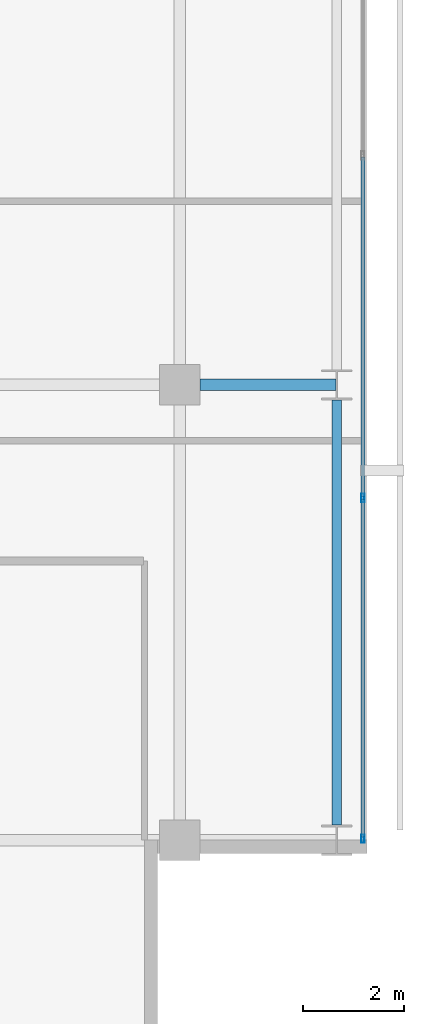
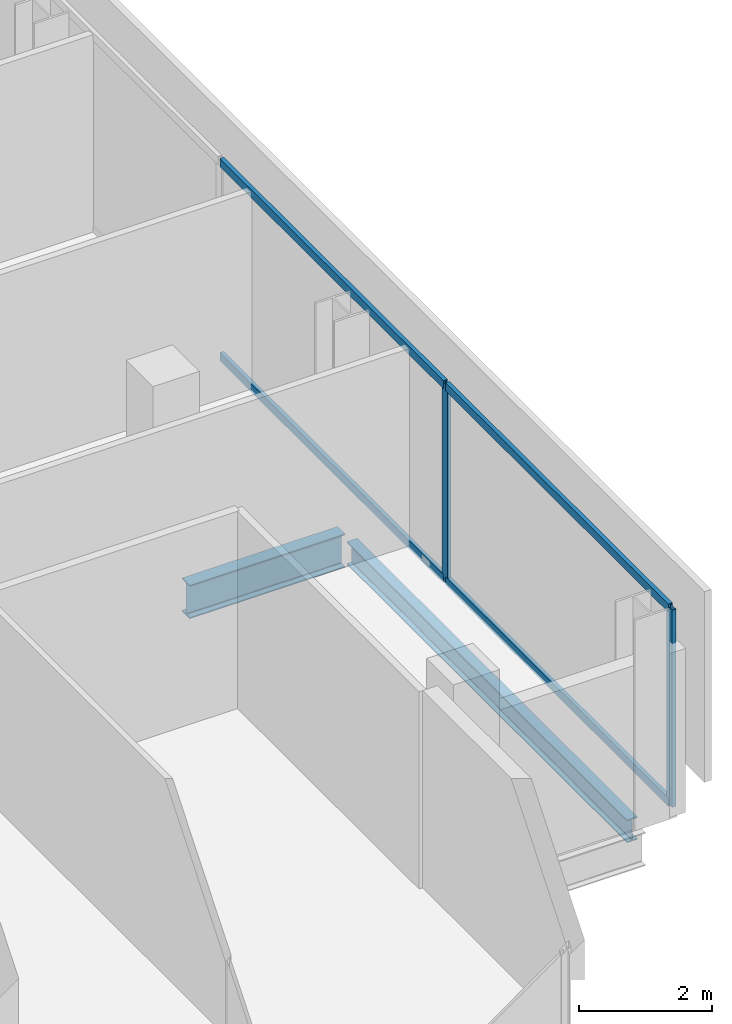
# One storey, part 15 of 34: 6 members, 2 beams, 1 element without a shape of its own.
"""IFC4 building model written with IfcOpenShell, lengths in metres."""

from ifc_helpers import new_model, si_unit, direction, frame, origin, origin_2d, place, context, subcontext, project, spatial, hollow_rectangle, i_section, extrude, material, layer, layer_set, material_profile, profile_set, type_object, element, aggregate, save


model = new_model("IFC4")

# Units and contexts
model_context = context("Model", 3, precision=1e-05, world=origin(), true_north=direction((0.0, 1.0)))
body_context = subcontext(model_context, "Body", "Model", "MODEL_VIEW")
ifc_project = project(units=[si_unit("LENGTHUNIT", "METRE"), si_unit("AREAUNIT", "SQUARE_METRE"), si_unit("VOLUMEUNIT", "CUBIC_METRE"), si_unit("PLANEANGLEUNIT", "RADIAN"), si_unit("MASSUNIT", "GRAM", prefix="KILO")], contexts=[model_context])

# Site, building, storey
site_placement = place(None, origin())
site = spatial("IfcSite", under=ifc_project, at=site_placement, CompositionType="ELEMENT")
building_placement = place(site_placement, origin())
building = spatial("IfcBuilding", under=site, at=building_placement, Name="Maruvema Waterfront Hotel and Observation Tower", CompositionType="ELEMENT")
storey_placement = place(building_placement, frame((0.0, 0.0, 146.64990234375)))
storey = spatial("IfcBuildingStorey", under=building, at=storey_placement, Name="L35", CompositionType="ELEMENT", Elevation=146.64990234375)

# Curtain wall, members
ifc_material_1 = material(Name="Anodised bronze aluminium and solar-control low-E IGU", Category="aluminium")
ifc_layer = layer(ifc_material_1, 0.159912109375, Name="Zone 2 Amber Inner Thermal Curtain Wall System CW-03")
ifc_layer_set = layer_set([ifc_layer], Name="Anodised bronze aluminium and solar-control low-E IGU")
curtain_wall_type = type_object("IfcCurtainWallType", Name="Zone 2 Amber Inner Thermal Curtain Wall System CW-03", PredefinedType="USERDEFINED", material=ifc_layer_set)
curtain_wall_placement = place(storey_placement, origin())
curtain_wall = element("IfcCurtainWall", 1, at=curtain_wall_placement, inside=storey, type_object=curtain_wall_type, Name="L35 Curtain Wall CW-L35-E", ObjectType="UNITISED CURTAIN WALL", PredefinedType="USERDEFINED")
ifc_material_2 = material(Name="Anodised architectural bronze aluminium", Category="aluminium")
ifc_material_profile_1 = material_profile(ifc_material_2, hollow_rectangle(XDim=0.070068359375, YDim=0.14990234375, WallThickness=0.00390625, at=origin_2d()), Name="ALU-T70x150")
ifc_profile_set_1 = profile_set([ifc_material_profile_1], Name="Anodised architectural bronze aluminium")
member_type_1 = type_object("IfcMemberType", Name="Curtain Wall Horizontal Transom ALU-T70x150", PredefinedType="USERDEFINED", material=ifc_profile_set_1)
member_1_placement = place(storey_placement, frame((62.419921875, 9.06005859375, 0.030029296875), z_axis=(0.0, 1.0, 0.0), x_axis=(-1.0, 0.0, 0.0)))
member_1 = element("IfcMember", 2, at=member_1_placement, type_object=member_type_1, Name="CW-03 transom 1.1", ObjectType="TRANSOM", PredefinedType="USERDEFINED", context=body_context, shape_type="SweptSolid", body=[
    extrude(hollow_rectangle(XDim=0.070068359375, YDim=0.14990234375, WallThickness=0.00390625, at=origin_2d()), origin(), (0.0, 0.0, 1.0), 6.676513671875),
])
member_2_placement = place(storey_placement, frame((62.419921875, 9.06005859375, 3.580078125), z_axis=(0.0, 1.0, 0.0), x_axis=(-1.0, 0.0, 0.0)))
member_2 = element("IfcMember", 3, at=member_2_placement, type_object=member_type_1, Name="CW-03 transom 1.2", ObjectType="TRANSOM", PredefinedType="USERDEFINED", context=body_context, shape_type="SweptSolid", body=[
    extrude(hollow_rectangle(XDim=0.070068359375, YDim=0.14990234375, WallThickness=0.00390625, at=origin_2d()), origin(), (0.0, 0.0, 1.0), 6.676513671875),
])
member_3_placement = place(storey_placement, frame((62.419921875, 15.796630859375, 0.030029296875), z_axis=(0.0, 1.0, 0.0), x_axis=(-1.0, 0.0, 0.0)))
member_3 = element("IfcMember", 4, at=member_3_placement, type_object=member_type_1, Name="CW-03 transom 2.1", ObjectType="TRANSOM", PredefinedType="USERDEFINED", context=body_context, shape_type="SweptSolid", body=[
    extrude(hollow_rectangle(XDim=0.070068359375, YDim=0.14990234375, WallThickness=0.00390625, at=origin_2d()), origin(), (0.0, 0.0, 1.0), 6.706787109375),
])
member_4_placement = place(storey_placement, frame((62.419921875, 15.796630859375, 3.580078125), z_axis=(0.0, 1.0, 0.0), x_axis=(-1.0, 0.0, 0.0)))
member_4 = element("IfcMember", 5, at=member_4_placement, type_object=member_type_1, Name="CW-03 transom 2.2", ObjectType="TRANSOM", PredefinedType="USERDEFINED", context=body_context, shape_type="SweptSolid", body=[
    extrude(hollow_rectangle(XDim=0.070068359375, YDim=0.14990234375, WallThickness=0.00390625, at=origin_2d()), origin(), (0.0, 0.0, 1.0), 6.706787109375),
])
ifc_material_3 = material(Name="Anodised architectural bronze aluminium", Category="aluminium")
ifc_material_profile_2 = material_profile(ifc_material_3, hollow_rectangle(XDim=0.06494140625, YDim=0.1650390625, WallThickness=0.00390625, at=origin_2d()), Name="ALU-M65x165")
ifc_profile_set_2 = profile_set([ifc_material_profile_2], Name="Anodised architectural bronze aluminium")
member_type_2 = type_object("IfcMemberType", Name="Curtain Wall Primary Mullion ALU-M65x165", PredefinedType="MULLION", material=ifc_profile_set_2)
member_5_placement = place(storey_placement, frame((62.419921875, 9.030029296875, 0.0), z_axis=(0.0, 0.0, 1.0), x_axis=(-1.0, 0.0, 0.0)))
member_5 = element("IfcMember", 6, at=member_5_placement, type_object=member_type_2, Name="CW-03 mullion 1", PredefinedType="MULLION", context=body_context, shape_type="SweptSolid", body=[
    extrude(hollow_rectangle(XDim=0.06494140625, YDim=0.1650390625, WallThickness=0.00390625, at=origin_2d()), origin(), (0.0, 0.0, 1.0), 3.610107421875),
])
member_6_placement = place(storey_placement, frame((62.419921875, 15.7666015625, 0.0), z_axis=(0.0, 0.0, 1.0), x_axis=(-1.0, 0.0, 0.0)))
member_6 = element("IfcMember", 7, at=member_6_placement, type_object=member_type_2, Name="CW-03 mullion 2", PredefinedType="MULLION", context=body_context, shape_type="SweptSolid", body=[
    extrude(hollow_rectangle(XDim=0.06494140625, YDim=0.1650390625, WallThickness=0.00390625, at=origin_2d()), origin(), (0.0, 0.0, 1.0), 3.610107421875),
])
aggregate(curtain_wall, [member_5, member_6, member_1, member_2, member_3, member_4])

# Beams
ifc_material_4 = material(Name="Steel ASTM A572 Grade 50", Category="steel")
ifc_material_profile_3 = material_profile(ifc_material_4, i_section(OverallWidth=0.180908203125, OverallDepth=0.4169921875, WebThickness=0.010986328125, FlangeThickness=0.018310546875, FilletRadius=0.014892578125, at=origin_2d()), Name="W410x85.0")
ifc_profile_set_3 = profile_set([ifc_material_profile_3], Name="Steel ASTM A572 Grade 50")
beam_type_1 = type_object("IfcBeamType", Name="Perimeter Spandrel Beam W410x85.0", PredefinedType="SPANDREL", material=ifc_profile_set_3)
beam_1_placement = place(storey_placement, frame((61.89990234375, 9.300048828125, -0.448486328125), z_axis=(0.0, 1.0, 0.0), x_axis=(-1.0, 0.0, 0.0)))
element("IfcBeam", 8, at=beam_1_placement, inside=storey, type_object=beam_type_1, Name="L35 Floor Girder NS-29", PredefinedType="SPANDREL", context=body_context, shape_type="SweptSolid", body=[
    extrude(i_section(OverallWidth=0.180908203125, OverallDepth=0.4169921875, WebThickness=0.010986328125, FlangeThickness=0.018310546875, FilletRadius=0.014892578125, at=origin_2d()), origin(), (0.0, 0.0, 1.0), 8.39990234375),
])
ifc_material_5 = material(Name="Steel ASTM A572 Grade 50", Category="steel")
ifc_material_profile_4 = material_profile(ifc_material_5, i_section(OverallWidth=0.22900390625, OverallDepth=0.612060546875, WebThickness=0.011962890625, FlangeThickness=0.01953125, FilletRadius=0.01806640625, at=origin_2d()), Name="W610x125.0")
ifc_profile_set_4 = profile_set([ifc_material_profile_4], Name="Steel ASTM A572 Grade 50")
beam_type_2 = type_object("IfcBeamType", Name="Primary Floor Girder W610x125.0", PredefinedType="BEAM", material=ifc_profile_set_4)
beam_2_placement = place(storey_placement, frame((59.199951171875, 18.0, -0.5458984375), z_axis=(1.0, 0.0, 0.0), x_axis=(0.0, 1.0, 0.0)))
element("IfcBeam", 9, at=beam_2_placement, inside=storey, type_object=beam_type_2, Name="L35 Floor Girder EW-17", PredefinedType="BEAM", context=body_context, shape_type="SweptSolid", body=[
    extrude(i_section(OverallWidth=0.22900390625, OverallDepth=0.612060546875, WebThickness=0.011962890625, FlangeThickness=0.01953125, FilletRadius=0.01806640625, at=origin_2d()), origin(), (0.0, 0.0, 1.0), 2.6875),
])

save(model, "model.ifc")
